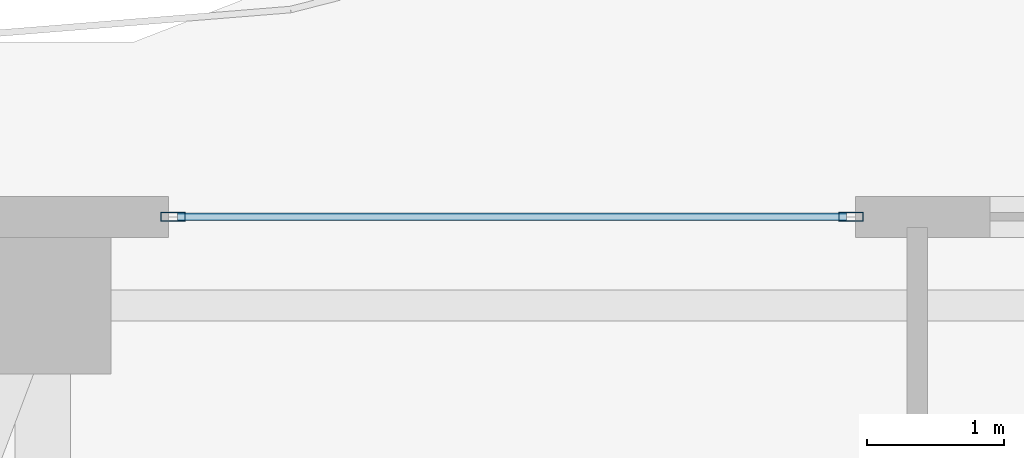
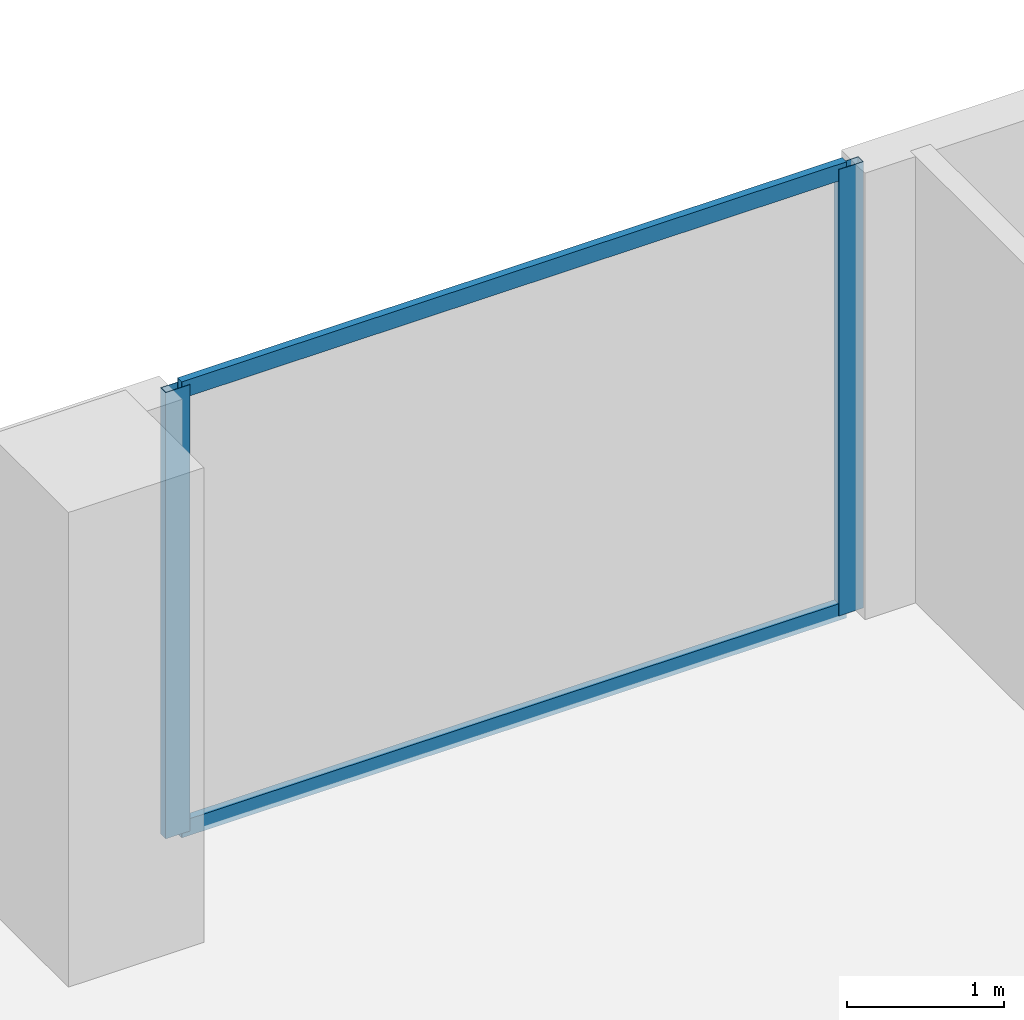
# One storey, part 12 of 23: 4 members, 1 element without a shape of its own.
"""IFC4 building model written with IfcOpenShell, lengths in metres."""

from ifc_helpers import new_model, si_unit, direction, frame, origin, origin_2d, place, context, subcontext, project, spatial, hollow_rectangle, extrude, material, layer, layer_set, material_profile, profile_set, type_object, element, aggregate, save


model = new_model("IFC4")

# Units and contexts
model_context = context("Model", 3, precision=1e-05, world=origin(), true_north=direction((0.0, 1.0)))
body_context = subcontext(model_context, "Body", "Model", "MODEL_VIEW")
ifc_project = project(units=[si_unit("LENGTHUNIT", "METRE"), si_unit("AREAUNIT", "SQUARE_METRE"), si_unit("VOLUMEUNIT", "CUBIC_METRE"), si_unit("PLANEANGLEUNIT", "RADIAN"), si_unit("MASSUNIT", "GRAM", prefix="KILO")], contexts=[model_context])

# Site, building, storey
site_placement = place(None, origin())
site = spatial("IfcSite", under=ifc_project, at=site_placement, CompositionType="ELEMENT")
building_placement = place(site_placement, origin())
building = spatial("IfcBuilding", under=site, at=building_placement, Name="Zuhayl Quay Hotel", CompositionType="ELEMENT")
storey_placement = place(building_placement, frame((0.0, 0.0, 261.85009765625)))
storey = spatial("IfcBuildingStorey", under=building, at=storey_placement, Name="L66", CompositionType="ELEMENT", Elevation=261.85009765625)

# Curtain wall, members
ifc_material_1 = material(Name="Anodised Aluminium 6063-T6", Category="aluminium")
ifc_layer = layer(ifc_material_1, 0.169921875, Name="Anodised Aluminium 6063-T6", Category="aluminium")
ifc_layer_set = layer_set([ifc_layer], Name="Anodised Aluminium 6063-T6")
curtain_wall_type = type_object("IfcCurtainWallType", Name="CW_SYS_Z4", PredefinedType="USERDEFINED", material=ifc_layer_set)
curtain_wall_placement = place(storey_placement, origin())
curtain_wall = element("IfcCurtainWall", 1, at=curtain_wall_placement, inside=storey, type_object=curtain_wall_type, Name="L66 Curtain Wall ENV_L66_N_CW1", ObjectType="UNITISED CURTAIN WALL", PredefinedType="USERDEFINED")
ifc_material_2 = material(Name="Black-anodised aluminium 6063-T6", Category="aluminium")
ifc_material_profile_1 = material_profile(ifc_material_2, hollow_rectangle(XDim=0.06494140625, YDim=0.179931640625, WallThickness=0.00341796875, at=origin_2d()), Name="ALU180X65")
ifc_profile_set_1 = profile_set([ifc_material_profile_1], Name="Black-anodised aluminium 6063-T6")
member_type_1 = type_object("IfcMemberType", Name="MB_CW_MUL_180", PredefinedType="MULLION", material=ifc_profile_set_1)
member_1_placement = place(storey_placement, frame((-12.847412109375, 39.0, 0.0), z_axis=(0.0, 0.0, 1.0), x_axis=(0.0, 1.0, 0.0)))
member_1 = element("IfcMember", 2, at=member_1_placement, type_object=member_type_1, Name="CW-Z4 mullion 1", PredefinedType="MULLION", context=body_context, shape_type="SweptSolid", body=[
    extrude(hollow_rectangle(XDim=0.06494140625, YDim=0.179931640625, WallThickness=0.00341796875, at=origin_2d()), origin(), (0.0, 0.0, 1.0), 3.47998046875),
])
member_2_placement = place(storey_placement, frame((-7.882568359375, 39.0, 0.0), z_axis=(0.0, 0.0, 1.0), x_axis=(0.0, 1.0, 0.0)))
member_2 = element("IfcMember", 3, at=member_2_placement, type_object=member_type_1, Name="CW-Z4 mullion 2", PredefinedType="MULLION", context=body_context, shape_type="SweptSolid", body=[
    extrude(hollow_rectangle(XDim=0.06494140625, YDim=0.179931640625, WallThickness=0.00341796875, at=origin_2d()), origin(), (0.0, 0.0, 1.0), 3.47998046875),
])
ifc_material_profile_2 = material_profile(ifc_material_2, hollow_rectangle(XDim=0.054931640625, YDim=0.1298828125, WallThickness=0.0029296875, at=origin_2d()), Name="ALU130X55")
ifc_profile_set_2 = profile_set([ifc_material_profile_2], Name="Black-anodised aluminium 6063-T6")
member_type_2 = type_object("IfcMemberType", Name="MB_CW_TRN_130", PredefinedType="USERDEFINED", material=ifc_profile_set_2)
member_3_placement = place(storey_placement, frame((-12.81494140625, 39.0, 0.02734375), z_axis=(1.0, 0.0, 0.0), x_axis=(0.0, 1.0, 0.0)))
member_3 = element("IfcMember", 4, at=member_3_placement, type_object=member_type_2, Name="CW-Z4 transom 1.1", ObjectType="TRANSOM", PredefinedType="USERDEFINED", context=body_context, shape_type="SweptSolid", body=[
    extrude(hollow_rectangle(XDim=0.054931640625, YDim=0.1298828125, WallThickness=0.0029296875, at=origin_2d()), origin(), (0.0, 0.0, 1.0), 4.89990234375),
])
member_4_placement = place(storey_placement, frame((-12.81494140625, 39.0, 3.452392578125), z_axis=(1.0, 0.0, 0.0), x_axis=(0.0, 1.0, 0.0)))
member_4 = element("IfcMember", 5, at=member_4_placement, type_object=member_type_2, Name="CW-Z4 transom 1.2", ObjectType="TRANSOM", PredefinedType="USERDEFINED", context=body_context, shape_type="SweptSolid", body=[
    extrude(hollow_rectangle(XDim=0.054931640625, YDim=0.1298828125, WallThickness=0.0029296875, at=origin_2d()), origin(), (0.0, 0.0, 1.0), 4.89990234375),
])
aggregate(curtain_wall, [member_1, member_2, member_3, member_4])

save(model, "model.ifc")
